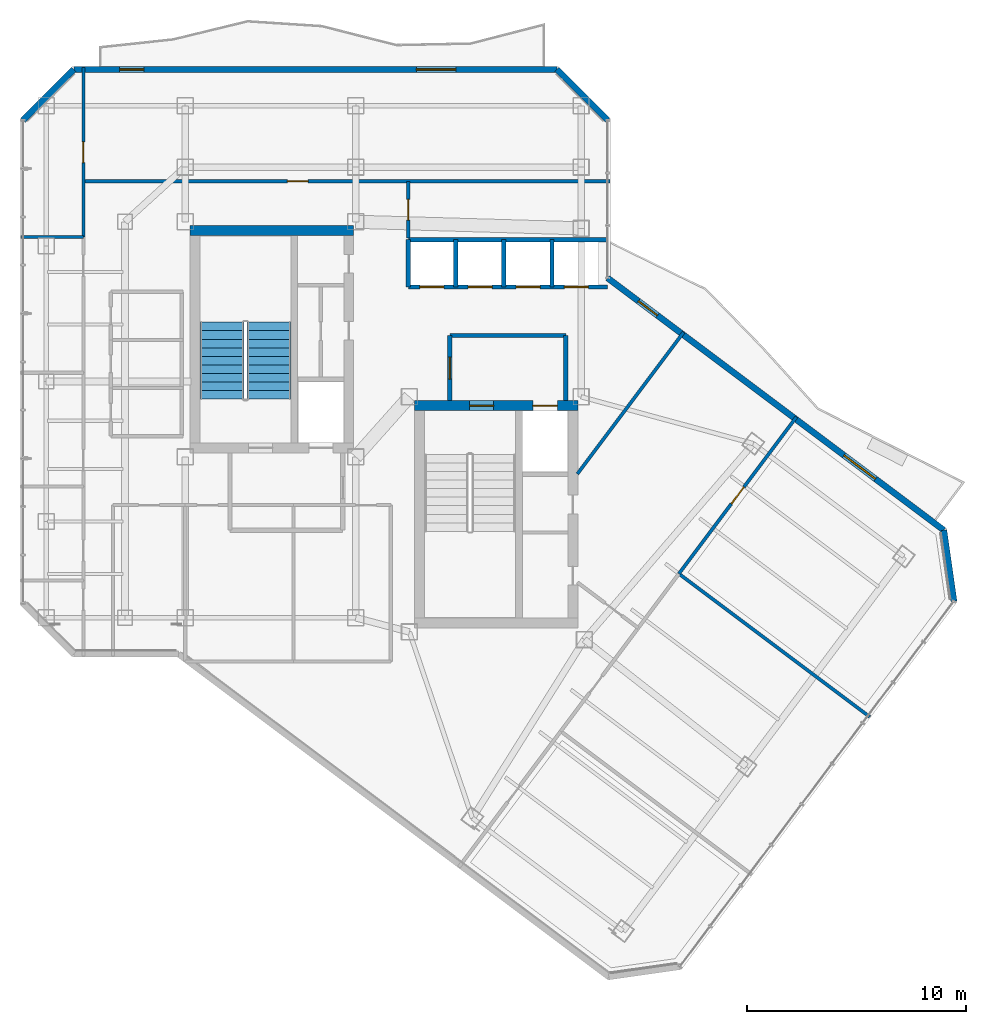
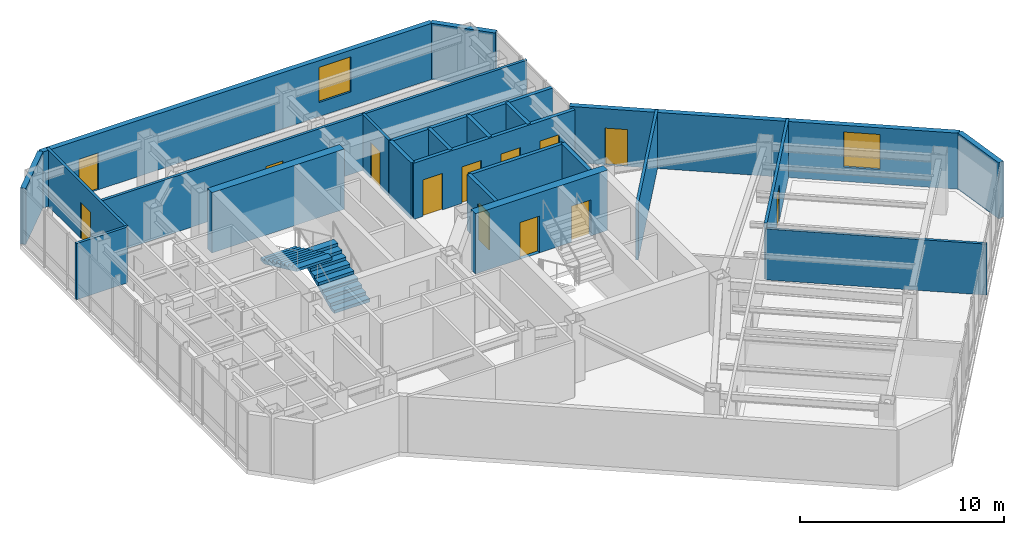
# One storey, part 21 of 26: 23 walls, 13 doors, 2 stair flights, 2 windows, 15 openings, 1 element without a shape of its own.
"""IFC4 building model written with IfcOpenShell, lengths in metres."""

from ifc_helpers import new_model, si_unit, direction, frame, frame_2d, origin, place, context, subcontext, project, spatial, polyline, rectangle, outline, extrude, material, layer, layer_set, type_object, element, fill, aggregate, save


model = new_model("IFC4")

# Units and contexts
model_context = context("Model", 3, precision=1e-05, world=origin(), true_north=direction((0.0, 1.0)))
body_context = subcontext(model_context, "Body", "Model", "MODEL_VIEW")
ifc_project = project(units=[si_unit("LENGTHUNIT", "METRE"), si_unit("AREAUNIT", "SQUARE_METRE"), si_unit("VOLUMEUNIT", "CUBIC_METRE"), si_unit("PLANEANGLEUNIT", "RADIAN"), si_unit("MASSUNIT", "GRAM", prefix="KILO")], contexts=[model_context])

# Site, building, storey
site_placement = place(None, origin())
site = spatial("IfcSite", under=ifc_project, at=site_placement, CompositionType="ELEMENT")
building_placement = place(site_placement, origin())
building = spatial("IfcBuilding", under=site, at=building_placement, Name="Hatsunagi Terrace Concourse", CompositionType="ELEMENT")
storey_placement = place(building_placement, frame((0.0, 0.0, 198.75)))
storey = spatial("IfcBuildingStorey", under=building, at=storey_placement, Name="L52", CompositionType="ELEMENT", Elevation=198.75)

# Wall
ifc_material_1 = material(Name="Concrete Fc42", Category="concrete")
ifc_layer_1 = layer(ifc_material_1, 0.449951171875)
ifc_layer_set_1 = layer_set([ifc_layer_1], Name="CoreShearWall_Fc42_450")
wall_type_1 = type_object("IfcWallType", Name="CoreShearWall_Fc42_450", PredefinedType="SHEAR", material=ifc_layer_set_1)
wall_1_placement = place(storey_placement, frame((25.77001953125, 42.89501953125, 0.0), z_axis=(0.0, 0.0, 1.0), x_axis=(1.0, 0.0, 0.0)))
element("IfcWall", 1, at=wall_1_placement, inside=storey, type_object=wall_type_1, Name="Core A Shear Wall N L52", PredefinedType="SHEAR", context=body_context, shape_type="SweptSolid", body=[
    extrude(rectangle(XDim=7.47998046875, YDim=0.449951171875, at=frame_2d((3.739990234375, 0.0))), origin(), (0.0, 0.0, 1.0), 3.60009765625),
])

# Wall, openings, doors
wall_2_placement = place(storey_placement, frame((36.0400390625, 34.89501953125, 0.0), z_axis=(0.0, 0.0, 1.0), x_axis=(1.0, 0.0, 0.0)))
wall_2 = element("IfcWall", 2, at=wall_2_placement, inside=storey, type_object=wall_type_1, Name="Core B Shear Wall N L52", PredefinedType="SHEAR", context=body_context, shape_type="SweptSolid", body=[
    extrude(rectangle(XDim=7.4599609375, YDim=0.449951171875, at=frame_2d((3.72998046875, 0.0))), origin(), (0.0, 0.0, 1.0), 3.60009765625),
])
opening_1_placement = place(wall_2_placement, frame((2.510009765625, 0.0, 0.0)))
opening_1 = element("IfcOpeningElement", 3, at=opening_1_placement, cuts=wall_2, Name="Opening DR-110S", PredefinedType="OPENING", context=body_context, shape_type="SweptSolid", body=[
    extrude(rectangle(XDim=1.10009765625, YDim=2.199951171875, at=frame_2d((0.550048828125, 1.10009765625))), frame((0.0, 0.23486328125, 0.0), z_axis=(0.0, -1.0, 0.0), x_axis=(1.0, 0.0, 0.0)), (0.0, 0.0, 1.0), 0.469970703125),
])
opening_2_placement = place(wall_2_placement, frame((5.409912109375, 0.0, 0.0)))
opening_2 = element("IfcOpeningElement", 4, at=opening_2_placement, cuts=wall_2, Name="Opening LD-02", PredefinedType="OPENING", context=body_context, shape_type="SweptSolid", body=[
    extrude(rectangle(XDim=1.1201171875, YDim=2.14990234375, at=frame_2d((0.56005859375, 1.074951171875))), frame((0.0, 0.23486328125, 0.0), z_axis=(0.0, -1.0, 0.0), x_axis=(1.0, 0.0, 0.0)), (0.0, 0.0, 1.0), 0.469970703125),
])
ifc_material_2 = material(Name="Stainless steel", Category="steel")
door_type_1 = type_object("IfcDoorType", Name="LiftLandingDoor_LD02", OperationType="SLIDING_TO_RIGHT", PredefinedType="USERDEFINED", material=ifc_material_2)
door_1_placement = place(opening_2_placement, origin())
door_1 = element("IfcDoor", 5, at=door_1_placement, inside=storey, type_object=door_type_1, Name="Lift landing door FF-02 L52", ObjectType="SLIDING_LANDING_DOOR", OperationType="SLIDING_TO_RIGHT", OverallHeight=2.14990234375, OverallWidth=1.1201171875, PredefinedType="USERDEFINED", context=body_context, shape_type="SweptSolid", body=[
    extrude(rectangle(XDim=1.1201171875, YDim=2.14990234375, at=frame_2d((0.56005859375, 1.074951171875))), frame((0.0, 0.02490234375, 0.0), z_axis=(0.0, -1.0, 0.0), x_axis=(1.0, 0.0, 0.0)), (0.0, 0.0, 1.0), 0.050048828125),
])
fill(opening_2, door_1)
ifc_material_3 = material(Name="Painted steel", Category="steel")
door_type_2 = type_object("IfcDoorType", Name="StairFireDoor_EI60_1100", OperationType="NOTDEFINED", PredefinedType="DOOR", material=ifc_material_3)
door_2_placement = place(opening_1_placement, origin())
door_2 = element("IfcDoor", 6, at=door_2_placement, inside=storey, type_object=door_type_2, Name="Stair ST-B Exit Door L52", OperationType="SINGLE_SWING_RIGHT", OverallHeight=2.199951171875, OverallWidth=1.10009765625, PredefinedType="DOOR", context=body_context, shape_type="SweptSolid", body=[
    extrude(rectangle(XDim=1.10009765625, YDim=2.199951171875, at=frame_2d((0.550048828125, 1.10009765625))), frame((0.0, 0.02490234375, 0.0), z_axis=(0.0, -1.0, 0.0), x_axis=(1.0, 0.0, 0.0)), (0.0, 0.0, 1.0), 0.050048828125),
])
fill(opening_1, door_2)

# Wall
ifc_material_4 = material(Name="Acoustic mineral board", Category="gypsum")
ifc_layer_2 = layer(ifc_material_4, 0.14990234375)
ifc_layer_set_2 = layer_set([ifc_layer_2], Name="PartitionWall_EI60_150")
wall_type_2 = type_object("IfcWallType", Name="PartitionWall_EI60_150", PredefinedType="PARTITIONING", material=ifc_layer_set_2)
wall_3_placement = place(storey_placement, frame((18.0400390625, 42.60009765625, 0.0), z_axis=(0.0, 0.0, 1.0), x_axis=(1.0, 0.0, 0.0)))
element("IfcWall", 7, at=wall_3_placement, inside=storey, type_object=wall_type_2, Name="Interior Partition IW-L52-039", PredefinedType="PARTITIONING", context=body_context, shape_type="SweptSolid", body=[
    extrude(rectangle(XDim=2.85986328125, YDim=0.14990234375, at=frame_2d((1.429931640625, 0.0))), origin(), (0.0, 0.0, 1.0), 3.35009765625),
])

# Wall, opening, door
wall_4_placement = place(storey_placement, frame((20.89990234375, 42.60009765625, 0.0), z_axis=(0.0, 0.0, 1.0), x_axis=(0.0, 1.0, 0.0)))
wall_4 = element("IfcWall", 8, at=wall_4_placement, inside=storey, type_object=wall_type_2, Name="Interior Partition IW-L52-041", PredefinedType="PARTITIONING", context=body_context, shape_type="SweptSolid", body=[
    extrude(rectangle(XDim=7.760009765625, YDim=0.14990234375, at=frame_2d((3.8798828125, 0.0))), origin(), (0.0, 0.0, 1.0), 3.35009765625),
])
opening_3_placement = place(wall_4_placement, frame((3.405029296875, 0.0, 0.0)))
opening_3 = element("IfcOpeningElement", 9, at=opening_3_placement, cuts=wall_4, Name="Opening DR-095", PredefinedType="OPENING", context=body_context, shape_type="SweptSolid", body=[
    extrude(rectangle(XDim=0.949951171875, YDim=2.14990234375, at=frame_2d((0.47509765625, 1.074951171875))), frame((0.0, 0.0849609375, 0.0), z_axis=(0.0, -1.0, 0.0), x_axis=(1.0, 0.0, 0.0)), (0.0, 0.0, 1.0), 0.169921875),
])
ifc_material_5 = material(Name="Hardwood timber", Category="wood")
door_type_3 = type_object("IfcDoorType", Name="InteriorSuiteDoor_EI30_950", OperationType="NOTDEFINED", PredefinedType="DOOR", material=ifc_material_5)
door_3_placement = place(opening_3_placement, origin())
door_3 = element("IfcDoor", 10, at=door_3_placement, inside=storey, type_object=door_type_3, Name="Design Studio L52-OW5 Door", OperationType="SINGLE_SWING_RIGHT", OverallHeight=2.14990234375, OverallWidth=0.949951171875, PredefinedType="DOOR", context=body_context, shape_type="SweptSolid", body=[
    extrude(rectangle(XDim=0.949951171875, YDim=2.14990234375, at=frame_2d((0.47509765625, 1.074951171875))), frame((0.0, 0.02490234375, 0.0), z_axis=(0.0, -1.0, 0.0), x_axis=(1.0, 0.0, 0.0)), (0.0, 0.0, 1.0), 0.050048828125),
])
fill(opening_3, door_3)

wall_5_placement = place(storey_placement, frame((20.89990234375, 45.14990234375, 0.0), z_axis=(0.0, 0.0, 1.0), x_axis=(1.0, 0.0, 0.0)))
wall_5 = element("IfcWall", 11, at=wall_5_placement, inside=storey, type_object=wall_type_2, Name="Interior Partition IW-L52-042", PredefinedType="PARTITIONING", context=body_context, shape_type="SweptSolid", body=[
    extrude(rectangle(XDim=24.06005859375, YDim=0.14990234375, at=frame_2d((12.030029296875, 0.0))), origin(), (0.0, 0.0, 1.0), 3.35009765625),
])
opening_4_placement = place(wall_5_placement, frame((9.320068359375, 0.0, 0.0)))
opening_4 = element("IfcOpeningElement", 12, at=opening_4_placement, cuts=wall_5, Name="Opening DR-095", PredefinedType="OPENING", context=body_context, shape_type="SweptSolid", body=[
    extrude(rectangle(XDim=0.949951171875, YDim=2.14990234375, at=frame_2d((0.47509765625, 1.074951171875))), frame((0.0, 0.0849609375, 0.0), z_axis=(0.0, -1.0, 0.0), x_axis=(1.0, 0.0, 0.0)), (0.0, 0.0, 1.0), 0.169921875),
])
door_4_placement = place(opening_4_placement, origin())
door_4 = element("IfcDoor", 13, at=door_4_placement, inside=storey, type_object=door_type_3, Name="Boardroom L52-ON1 Door", OperationType="SINGLE_SWING_RIGHT", OverallHeight=2.14990234375, OverallWidth=0.949951171875, PredefinedType="DOOR", context=body_context, shape_type="SweptSolid", body=[
    extrude(rectangle(XDim=0.949951171875, YDim=2.14990234375, at=frame_2d((0.47509765625, 1.074951171875))), frame((0.0, 0.02490234375, 0.0), z_axis=(0.0, -1.0, 0.0), x_axis=(1.0, 0.0, 0.0)), (0.0, 0.0, 1.0), 0.050048828125),
])
fill(opening_4, door_4)

# Wall
wall_6_placement = place(storey_placement, frame((48.1201171875, 27.2099609375, 0.0), z_axis=(0.0, 0.0, 1.0), x_axis=(0.799997314611, -0.600003580502, 0.0)))
element("IfcWall", 14, at=wall_6_placement, inside=storey, type_object=wall_type_2, Name="Interior Partition IW-L52-045", PredefinedType="PARTITIONING", context=body_context, shape_type="SweptSolid", body=[
    extrude(rectangle(XDim=10.90966796875, YDim=0.14990234375, at=frame_2d((5.454833984375, 0.0))), origin(), (0.0, 0.0, 1.0), 3.044921875),
])

# Wall, opening, door
wall_7_placement = place(storey_placement, frame((48.1201171875, 27.2099609375, 0.0), z_axis=(0.0, 0.0, 1.0), x_axis=(0.6, 0.8, 0.0)))
wall_7 = element("IfcWall", 15, at=wall_7_placement, inside=storey, type_object=wall_type_2, Name="Interior Partition IW-L52-047", PredefinedType="PARTITIONING", context=body_context, shape_type="SweptSolid", body=[
    extrude(rectangle(XDim=8.9599609375, YDim=0.14990234375, at=frame_2d((4.47998046875, 0.0))), origin(), (0.0, 0.0, 1.0), 3.35009765625),
])
opening_5_placement = place(wall_7_placement, frame((4.0048828125, 0.0, 0.0)))
opening_5 = element("IfcOpeningElement", 16, at=opening_5_placement, cuts=wall_7, Name="Opening DR-095", PredefinedType="OPENING", context=body_context, shape_type="SweptSolid", body=[
    extrude(rectangle(XDim=0.949951171875, YDim=2.14990234375, at=frame_2d((0.47509765625, 1.074951171875))), frame((0.0, 0.0849609375, 0.0), z_axis=(0.0, -1.0, 0.0), x_axis=(1.0, 0.0, 0.0)), (0.0, 0.0, 1.0), 0.169921875),
])
door_5_placement = place(opening_5_placement, origin())
door_5 = element("IfcDoor", 17, at=door_5_placement, inside=storey, type_object=door_type_3, Name="Research Focus Suite L52-OSE3 Door", OperationType="SINGLE_SWING_RIGHT", OverallHeight=2.14990234375, OverallWidth=0.949951171875, PredefinedType="DOOR", context=body_context, shape_type="SweptSolid", body=[
    extrude(rectangle(XDim=0.949951171875, YDim=2.14990234375, at=frame_2d((0.47509765625, 1.074951171875))), frame((0.0, 0.02490234375, 0.0), z_axis=(0.0, -1.0, 0.0), x_axis=(1.0, 0.0, 0.0)), (0.0, 0.0, 1.0), 0.050048828125),
])
fill(opening_5, door_5)

# Wall
wall_8_placement = place(storey_placement, frame((43.47998046875, 31.77294921875, 0.0), z_axis=(0.0, 0.0, 1.0), x_axis=(0.599971041729, 0.800021717885, 0.0)))
element("IfcWall", 18, at=wall_8_placement, inside=storey, type_object=wall_type_2, Name="Interior Partition IW-L52-049", PredefinedType="PARTITIONING", context=body_context, shape_type="SweptSolid", body=[
    extrude(rectangle(XDim=8.09375, YDim=0.14990234375, at=frame_2d((4.046875, 0.0))), origin(), (0.0, 0.0, 1.0), 3.35009765625),
])

# Wall, opening, door
wall_9_placement = place(storey_placement, frame((35.75, 42.550048828125, 0.0), z_axis=(0.0, 0.0, 1.0), x_axis=(0.0, 1.0, 0.0)))
wall_9 = element("IfcWall", 19, at=wall_9_placement, inside=storey, type_object=wall_type_2, Name="Interior Partition IW-L52-052", PredefinedType="PARTITIONING", context=body_context, shape_type="SweptSolid", body=[
    extrude(rectangle(XDim=2.599853515625, YDim=0.14990234375, at=frame_2d((1.2998046875, 0.0))), origin(), (0.0, 0.0, 1.0), 3.35009765625),
])
opening_6_placement = place(wall_9_placement, frame((0.824951171875, 0.0, 0.0)))
opening_6 = element("IfcOpeningElement", 20, at=opening_6_placement, cuts=wall_9, Name="Opening DR-095", PredefinedType="OPENING", context=body_context, shape_type="SweptSolid", body=[
    extrude(rectangle(XDim=0.949951171875, YDim=2.14990234375, at=frame_2d((0.47509765625, 1.074951171875))), frame((0.0, 0.0849609375, 0.0), z_axis=(0.0, -1.0, 0.0), x_axis=(1.0, 0.0, 0.0)), (0.0, 0.0, 1.0), 0.169921875),
])
door_6_placement = place(opening_6_placement, origin())
door_6 = element("IfcDoor", 21, at=door_6_placement, inside=storey, type_object=door_type_3, Name="Executive Briefing Room L52-ONEB Door", OperationType="SINGLE_SWING_RIGHT", OverallHeight=2.14990234375, OverallWidth=0.949951171875, PredefinedType="DOOR", context=body_context, shape_type="SweptSolid", body=[
    extrude(rectangle(XDim=0.949951171875, YDim=2.14990234375, at=frame_2d((0.47509765625, 1.074951171875))), frame((0.0, 0.02490234375, 0.0), z_axis=(0.0, -1.0, 0.0), x_axis=(1.0, 0.0, 0.0)), (0.0, 0.0, 1.0), 0.050048828125),
])
fill(opening_6, door_6)

# Walls
ifc_material_6 = material(Name="Acoustic mineral board", Category="gypsum")
ifc_layer_3 = layer(ifc_material_6, 0.199951171875)
ifc_layer_set_3 = layer_set([ifc_layer_3], Name="ShaftWall_EI120_200")
wall_type_3 = type_object("IfcWallType", Name="ShaftWall_EI120_200", PredefinedType="STANDARD", material=ifc_layer_set_3)
wall_10_placement = place(storey_placement, frame((37.64990234375, 38.10009765625, 0.0), z_axis=(0.0, 0.0, 1.0), x_axis=(1.0, 0.0, 0.0)))
element("IfcWall", 22, at=wall_10_placement, inside=storey, type_object=wall_type_3, Name="Interior Partition IW-L52-009", PredefinedType="STANDARD", context=body_context, shape_type="SweptSolid", body=[
    extrude(rectangle(XDim=5.300048828125, YDim=0.199951171875, at=frame_2d((2.64990234375, 0.0))), origin(), (0.0, 0.0, 1.0), 3.35009765625),
])
wall_11_placement = place(storey_placement, frame((42.949951171875, 35.1201171875, 0.0), z_axis=(0.0, 0.0, 1.0), x_axis=(0.0, 1.0, 0.0)))
element("IfcWall", 23, at=wall_11_placement, inside=storey, type_object=wall_type_3, Name="Interior Partition IW-L52-010", PredefinedType="STANDARD", context=body_context, shape_type="SweptSolid", body=[
    extrude(rectangle(XDim=2.97998046875, YDim=0.199951171875, at=frame_2d((1.489990234375, 0.0))), origin(), (0.0, 0.0, 1.0), 3.35009765625),
])

# Wall, opening, door
wall_12_placement = place(storey_placement, frame((37.64990234375, 35.1201171875, 0.0), z_axis=(0.0, 0.0, 1.0), x_axis=(0.0, 1.0, 0.0)))
wall_12 = element("IfcWall", 24, at=wall_12_placement, inside=storey, type_object=wall_type_3, Name="Interior Partition IW-L52-011", PredefinedType="STANDARD", context=body_context, shape_type="SweptSolid", body=[
    extrude(rectangle(XDim=2.97998046875, YDim=0.199951171875, at=frame_2d((1.489990234375, 0.0))), origin(), (0.0, 0.0, 1.0), 3.35009765625),
])
opening_7_placement = place(wall_12_placement, frame((0.989990234375, 0.0, 0.0)))
opening_7 = element("IfcOpeningElement", 25, at=opening_7_placement, cuts=wall_12, Name="Opening DR-100F", PredefinedType="OPENING", context=body_context, shape_type="SweptSolid", body=[
    extrude(rectangle(XDim=1.0, YDim=2.199951171875, at=frame_2d((0.5, 1.10009765625))), frame((0.0, 0.10986328125, 0.0), z_axis=(0.0, -1.0, 0.0), x_axis=(1.0, 0.0, 0.0)), (0.0, 0.0, 1.0), 0.219970703125),
])
ifc_material_7 = material(Name="Painted steel", Category="steel")
door_type_4 = type_object("IfcDoorType", Name="FireDoor_EI60_1000", OperationType="NOTDEFINED", PredefinedType="DOOR", material=ifc_material_7)
door_7_placement = place(opening_7_placement, origin())
door_7 = element("IfcDoor", 26, at=door_7_placement, inside=storey, type_object=door_type_4, Name="Firefighting Lobby B Door L52", OperationType="SINGLE_SWING_RIGHT", OverallHeight=2.199951171875, OverallWidth=1.0, PredefinedType="DOOR", context=body_context, shape_type="SweptSolid", body=[
    extrude(rectangle(XDim=1.0, YDim=2.199951171875, at=frame_2d((0.5, 1.10009765625))), frame((0.0, 0.02490234375, 0.0), z_axis=(0.0, -1.0, 0.0), x_axis=(1.0, 0.0, 0.0)), (0.0, 0.0, 1.0), 0.050048828125),
])
fill(opening_7, door_7)

# Walls
wall_13_placement = place(storey_placement, frame((35.75, 42.47998046875, 0.0), z_axis=(0.0, 0.0, 1.0), x_axis=(1.0, 0.0, 0.0)))
element("IfcWall", 27, at=wall_13_placement, inside=storey, type_object=wall_type_3, Name="Interior Partition IW-L52-012", PredefinedType="STANDARD", context=body_context, shape_type="SweptSolid", body=[
    extrude(rectangle(XDim=9.110107421875, YDim=0.199951171875, at=frame_2d((4.55517578125, 0.0))), origin(), (0.0, 0.0, 1.0), 3.35009765625),
])
for number, where, z_axis, x_axis, name in (
    (28, (35.75, 40.320068359375, 0.0), (0.0, 0.0, 1.0), (0.0, 1.0, 0.0), "Interior Partition IW-L52-013"),
    (29, (37.919921875, 40.320068359375, 0.0), (0.0, 0.0, 1.0), (0.0, 1.0, 0.0), "Interior Partition IW-L52-014"),
    (30, (40.1201171875, 40.320068359375, 0.0), (0.0, 0.0, 1.0), (0.0, 1.0, 0.0), "Interior Partition IW-L52-015"),
    (31, (42.320068359375, 40.320068359375, 0.0), (0.0, 0.0, 1.0), (0.0, 1.0, 0.0), "Interior Partition IW-L52-016"),
):
    element("IfcWall", number, at=place(storey_placement, frame(where, z_axis=z_axis, x_axis=x_axis)), inside=storey, type_object=wall_type_3, Name=name, PredefinedType="STANDARD", context=body_context, shape_type="SweptSolid", body=[
        extrude(rectangle(XDim=2.159912109375, YDim=0.199951171875, at=frame_2d((1.080078125, 0.0))), origin(), (0.0, 0.0, 1.0), 3.35009765625),
    ])

# Wall, openings, doors
wall_14_placement = place(storey_placement, frame((35.75, 40.320068359375, 0.0), z_axis=(0.0, 0.0, 1.0), x_axis=(1.0, 0.0, 0.0)))
wall_14 = element("IfcWall", 32, at=wall_14_placement, inside=storey, type_object=wall_type_3, Name="Interior Partition IW-L52-017", PredefinedType="STANDARD", context=body_context, shape_type="SweptSolid", body=[
    extrude(rectangle(XDim=9.110107421875, YDim=0.199951171875, at=frame_2d((4.55517578125, 0.0))), origin(), (0.0, 0.0, 1.0), 3.35009765625),
])
opening_8_placement = place(wall_14_placement, frame((0.530029296875, 0.0, 0.0)))
opening_8 = element("IfcOpeningElement", 33, at=opening_8_placement, cuts=wall_14, Name="Opening LD-04", PredefinedType="OPENING", context=body_context, shape_type="SweptSolid", body=[
    extrude(rectangle(XDim=1.10009765625, YDim=2.179931640625, at=frame_2d((0.550048828125, 1.08984375))), frame((0.0, 0.10986328125, 0.0), z_axis=(0.0, -1.0, 0.0), x_axis=(1.0, 0.0, 0.0)), (0.0, 0.0, 1.0), 0.219970703125),
])
opening_9_placement = place(wall_14_placement, frame((2.72998046875, 0.0, 0.0)))
opening_9 = element("IfcOpeningElement", 34, at=opening_9_placement, cuts=wall_14, Name="Opening LD-04", PredefinedType="OPENING", context=body_context, shape_type="SweptSolid", body=[
    extrude(rectangle(XDim=1.10009765625, YDim=2.179931640625, at=frame_2d((0.550048828125, 1.08984375))), frame((0.0, 0.10986328125, 0.0), z_axis=(0.0, -1.0, 0.0), x_axis=(1.0, 0.0, 0.0)), (0.0, 0.0, 1.0), 0.219970703125),
])
opening_10_placement = place(wall_14_placement, frame((4.929931640625, 0.0, 0.0)))
opening_10 = element("IfcOpeningElement", 35, at=opening_10_placement, cuts=wall_14, Name="Opening LD-04", PredefinedType="OPENING", context=body_context, shape_type="SweptSolid", body=[
    extrude(rectangle(XDim=1.10009765625, YDim=2.179931640625, at=frame_2d((0.550048828125, 1.08984375))), frame((0.0, 0.10986328125, 0.0), z_axis=(0.0, -1.0, 0.0), x_axis=(1.0, 0.0, 0.0)), (0.0, 0.0, 1.0), 0.219970703125),
])
opening_11_placement = place(wall_14_placement, frame((7.1298828125, 0.0, 0.0)))
opening_11 = element("IfcOpeningElement", 36, at=opening_11_placement, cuts=wall_14, Name="Opening LD-04", PredefinedType="OPENING", context=body_context, shape_type="SweptSolid", body=[
    extrude(rectangle(XDim=1.10009765625, YDim=2.179931640625, at=frame_2d((0.550048828125, 1.08984375))), frame((0.0, 0.10986328125, 0.0), z_axis=(0.0, -1.0, 0.0), x_axis=(1.0, 0.0, 0.0)), (0.0, 0.0, 1.0), 0.219970703125),
])
ifc_material_8 = material(Name="Stainless steel", Category="steel")
door_type_5 = type_object("IfcDoorType", Name="LiftLandingDoor_LD04", OperationType="SLIDING_TO_RIGHT", PredefinedType="USERDEFINED", material=ifc_material_8)
door_8_placement = place(opening_8_placement, origin())
door_8 = element("IfcDoor", 37, at=door_8_placement, inside=storey, type_object=door_type_5, Name="Lift landing door PL-05 L52", ObjectType="SLIDING_LANDING_DOOR", OperationType="SLIDING_TO_RIGHT", OverallHeight=2.179931640625, OverallWidth=1.10009765625, PredefinedType="USERDEFINED", context=body_context, shape_type="SweptSolid", body=[
    extrude(rectangle(XDim=1.10009765625, YDim=2.179931640625, at=frame_2d((0.550048828125, 1.08984375))), frame((0.0, 0.02490234375, 0.0), z_axis=(0.0, -1.0, 0.0), x_axis=(1.0, 0.0, 0.0)), (0.0, 0.0, 1.0), 0.050048828125),
])
fill(opening_8, door_8)
door_9_placement = place(opening_9_placement, origin())
door_9 = element("IfcDoor", 38, at=door_9_placement, inside=storey, type_object=door_type_5, Name="Lift landing door PL-06 L52", ObjectType="SLIDING_LANDING_DOOR", OperationType="SLIDING_TO_RIGHT", OverallHeight=2.179931640625, OverallWidth=1.10009765625, PredefinedType="USERDEFINED", context=body_context, shape_type="SweptSolid", body=[
    extrude(rectangle(XDim=1.10009765625, YDim=2.179931640625, at=frame_2d((0.550048828125, 1.08984375))), frame((0.0, 0.02490234375, 0.0), z_axis=(0.0, -1.0, 0.0), x_axis=(1.0, 0.0, 0.0)), (0.0, 0.0, 1.0), 0.050048828125),
])
fill(opening_9, door_9)
door_10_placement = place(opening_10_placement, origin())
door_10 = element("IfcDoor", 39, at=door_10_placement, inside=storey, type_object=door_type_5, Name="Lift landing door PL-07 L52", ObjectType="SLIDING_LANDING_DOOR", OperationType="SLIDING_TO_RIGHT", OverallHeight=2.179931640625, OverallWidth=1.10009765625, PredefinedType="USERDEFINED", context=body_context, shape_type="SweptSolid", body=[
    extrude(rectangle(XDim=1.10009765625, YDim=2.179931640625, at=frame_2d((0.550048828125, 1.08984375))), frame((0.0, 0.02490234375, 0.0), z_axis=(0.0, -1.0, 0.0), x_axis=(1.0, 0.0, 0.0)), (0.0, 0.0, 1.0), 0.050048828125),
])
fill(opening_10, door_10)
door_11_placement = place(opening_11_placement, origin())
door_11 = element("IfcDoor", 40, at=door_11_placement, inside=storey, type_object=door_type_5, Name="Lift landing door PL-08 L52", ObjectType="SLIDING_LANDING_DOOR", OperationType="SLIDING_TO_RIGHT", OverallHeight=2.179931640625, OverallWidth=1.10009765625, PredefinedType="USERDEFINED", context=body_context, shape_type="SweptSolid", body=[
    extrude(rectangle(XDim=1.10009765625, YDim=2.179931640625, at=frame_2d((0.550048828125, 1.08984375))), frame((0.0, 0.02490234375, 0.0), z_axis=(0.0, -1.0, 0.0), x_axis=(1.0, 0.0, 0.0)), (0.0, 0.0, 1.0), 0.050048828125),
])
fill(opening_11, door_11)

# Wall, openings, door, window
ifc_material_9 = material(Name="Autoclaved Lightweight Concrete and Terracotta Cladding", Category="masonry")
ifc_layer_4 = layer(ifc_material_9, 0.280029296875)
ifc_layer_set_4 = layer_set([ifc_layer_4], Name="TerracottaSpandrelWall_280")
wall_type_4 = type_object("IfcWallType", Name="TerracottaSpandrelWall_280", PredefinedType="STANDARD", material=ifc_layer_set_4)
wall_15_placement = place(storey_placement, frame((44.860107421875, 40.72998046875, 0.0), z_axis=(0.0, 0.0, 1.0), x_axis=(0.800007624502, -0.599989833863, 0.0)))
wall_15 = element("IfcWall", 41, at=wall_15_placement, inside=storey, type_object=wall_type_4, Name="Exterior Spandrel Wall EW-L52-01", PredefinedType="STANDARD", context=body_context, shape_type="SweptSolid", body=[
    extrude(rectangle(XDim=19.212158203125, YDim=0.280029296875, at=frame_2d((9.60595703125, 0.0))), origin(), (0.0, 0.0, 1.0), 3.35009765625),
])
opening_12_placement = place(wall_15_placement, frame((1.7548828125, 0.0, 0.0)))
opening_12 = element("IfcOpeningElement", 42, at=opening_12_placement, cuts=wall_15, Name="Opening BD-01", PredefinedType="OPENING", context=body_context, shape_type="SweptSolid", body=[
    extrude(rectangle(XDim=1.10009765625, YDim=2.199951171875, at=frame_2d((0.550048828125, 1.10009765625))), frame((0.0, 0.14990234375, 0.0), z_axis=(0.0, -1.0, 0.0), x_axis=(1.0, 0.0, 0.0)), (0.0, 0.0, 1.0), 0.300048828125),
])
opening_13_placement = place(wall_15_placement, frame((13.509033203125, 0.0, 0.85009765625)))
opening_13 = element("IfcOpeningElement", 43, at=opening_13_placement, cuts=wall_15, Name="Opening WIN-03", PredefinedType="OPENING", context=body_context, shape_type="SweptSolid", body=[
    extrude(rectangle(XDim=1.800048828125, YDim=2.10009765625, at=frame_2d((0.89990234375, 1.050048828125))), frame((0.0, 0.14990234375, 0.0), z_axis=(0.0, -1.0, 0.0), x_axis=(1.0, 0.0, 0.0)), (0.0, 0.0, 1.0), 0.300048828125),
])
ifc_material_10 = material(Name="Galvanised Steel and Laminated Safety Glass", Category="steel")
door_type_6 = type_object("IfcDoorType", Name="BalconyTerraceAccessDoor_1100x2200", OperationType="SINGLE_SWING_LEFT", PredefinedType="DOOR", material=ifc_material_10)
door_12_placement = place(opening_12_placement, origin())
door_12 = element("IfcDoor", 44, at=door_12_placement, inside=storey, type_object=door_type_6, Name="Engawa Balcony Door L52-BSE", OperationType="SINGLE_SWING_LEFT", OverallHeight=2.199951171875, OverallWidth=1.10009765625, PredefinedType="DOOR", context=body_context, shape_type="SweptSolid", body=[
    extrude(rectangle(XDim=1.10009765625, YDim=2.199951171875, at=frame_2d((0.550048828125, 1.10009765625))), frame((0.0, 0.02490234375, 0.0), z_axis=(0.0, -1.0, 0.0), x_axis=(1.0, 0.0, 0.0)), (0.0, 0.0, 1.0), 0.050048828125),
])
fill(opening_12, door_12)
ifc_material_11 = material(Name="Thermally Broken Aluminium and Low-E Triple Glazing", Category="aluminium")
window_type = type_object("IfcWindowType", Name="OfficeCornerFeatureWindow_1800x2100", PartitioningType="SINGLE_PANEL", PredefinedType="WINDOW", material=ifc_material_11)
window_1_placement = place(opening_13_placement, origin())
window_1 = element("IfcWindow", 45, at=window_1_placement, inside=storey, type_object=window_type, Name="Balcony Daylighting Window L52-01-2", OverallHeight=2.10009765625, OverallWidth=1.800048828125, PartitioningType="SINGLE_PANEL", PredefinedType="WINDOW", context=body_context, shape_type="SweptSolid", body=[
    extrude(rectangle(XDim=1.800048828125, YDim=2.10009765625, at=frame_2d((0.89990234375, 1.050048828125))), frame((0.0, 0.030029296875, 0.0), z_axis=(0.0, -1.0, 0.0), x_axis=(1.0, 0.0, 0.0)), (0.0, 0.0, 1.0), 0.06005859375),
])
fill(opening_13, window_1)

# Walls
wall_16_placement = place(storey_placement, frame((60.22998046875, 29.202880859375, 0.0), z_axis=(0.0, 0.0, 1.0), x_axis=(0.141296221922, -0.989967361922, 0.0)))
element("IfcWall", 46, at=wall_16_placement, inside=storey, type_object=wall_type_4, Name="Exterior Spandrel Wall EW-L52-02", PredefinedType="STANDARD", context=body_context, shape_type="SweptSolid", body=[
    extrude(rectangle(XDim=3.27783203125, YDim=0.280029296875, at=frame_2d((1.638916015625, 0.0))), origin(), (0.0, 0.0, 1.0), 3.35009765625),
])
wall_17_placement = place(storey_placement, frame((18.139892578125, 47.94189453125, 0.0), z_axis=(0.0, 0.0, 1.0), x_axis=(0.707106781187, 0.707106781187, 0.0)))
element("IfcWall", 47, at=wall_17_placement, inside=storey, type_object=wall_type_4, Name="Exterior Spandrel Wall EW-L52-09", PredefinedType="STANDARD", context=body_context, shape_type="SweptSolid", body=[
    extrude(rectangle(XDim=3.2783203125, YDim=0.280029296875, at=frame_2d((1.63916015625, 0.0))), origin(), (0.0, 0.0, 1.0), 3.35009765625),
])

# Wall, openings, door, window
wall_18_placement = place(storey_placement, frame((20.4580078125, 50.260009765625, 0.0), z_axis=(0.0, 0.0, 1.0), x_axis=(1.0, 0.0, 0.0)))
wall_18 = element("IfcWall", 48, at=wall_18_placement, inside=storey, type_object=wall_type_4, Name="Exterior Spandrel Wall EW-L52-10", PredefinedType="STANDARD", context=body_context, shape_type="SweptSolid", body=[
    extrude(rectangle(XDim=22.083984375, YDim=0.280029296875, at=frame_2d((11.0419921875, 0.0))), origin(), (0.0, 0.0, 1.0), 3.35009765625),
])
opening_14_placement = place(wall_18_placement, frame((2.10009765625, 0.0, 0.0)))
opening_14 = element("IfcOpeningElement", 49, at=opening_14_placement, cuts=wall_18, Name="Opening BD-01", PredefinedType="OPENING", context=body_context, shape_type="SweptSolid", body=[
    extrude(rectangle(XDim=1.10009765625, YDim=2.199951171875, at=frame_2d((0.550048828125, 1.10009765625))), frame((0.0, 0.14990234375, 0.0), z_axis=(0.0, -1.0, 0.0), x_axis=(1.0, 0.0, 0.0)), (0.0, 0.0, 1.0), 0.300048828125),
])
opening_15_placement = place(wall_18_placement, frame((15.6630859375, 0.0, 0.85009765625)))
opening_15 = element("IfcOpeningElement", 50, at=opening_15_placement, cuts=wall_18, Name="Opening WIN-03", PredefinedType="OPENING", context=body_context, shape_type="SweptSolid", body=[
    extrude(rectangle(XDim=1.800048828125, YDim=2.10009765625, at=frame_2d((0.89990234375, 1.050048828125))), frame((0.0, 0.14990234375, 0.0), z_axis=(0.0, -1.0, 0.0), x_axis=(1.0, 0.0, 0.0)), (0.0, 0.0, 1.0), 0.300048828125),
])
door_13_placement = place(opening_14_placement, origin())
door_13 = element("IfcDoor", 51, at=door_13_placement, inside=storey, type_object=door_type_6, Name="Engawa Balcony Door L52-BN", OperationType="SINGLE_SWING_RIGHT", OverallHeight=2.199951171875, OverallWidth=1.10009765625, PredefinedType="DOOR", context=body_context, shape_type="SweptSolid", body=[
    extrude(rectangle(XDim=1.10009765625, YDim=2.199951171875, at=frame_2d((0.550048828125, 1.10009765625))), frame((0.0, 0.02490234375, 0.0), z_axis=(0.0, -1.0, 0.0), x_axis=(1.0, 0.0, 0.0)), (0.0, 0.0, 1.0), 0.050048828125),
])
fill(opening_14, door_13)
window_2_placement = place(opening_15_placement, origin())
window_2 = element("IfcWindow", 52, at=window_2_placement, inside=storey, type_object=window_type, Name="Balcony Daylighting Window L52-10-2", OverallHeight=2.10009765625, OverallWidth=1.800048828125, PartitioningType="SINGLE_PANEL", PredefinedType="WINDOW", context=body_context, shape_type="SweptSolid", body=[
    extrude(rectangle(XDim=1.800048828125, YDim=2.10009765625, at=frame_2d((0.89990234375, 1.050048828125))), frame((0.0, 0.030029296875, 0.0), z_axis=(0.0, -1.0, 0.0), x_axis=(1.0, 0.0, 0.0)), (0.0, 0.0, 1.0), 0.06005859375),
])
fill(opening_15, window_2)

# Wall
wall_19_placement = place(storey_placement, frame((42.5419921875, 50.260009765625, 0.0), z_axis=(0.0, 0.0, 1.0), x_axis=(0.707106781187, -0.707106781187, 0.0)))
element("IfcWall", 53, at=wall_19_placement, inside=storey, type_object=wall_type_4, Name="Exterior Spandrel Wall EW-L52-11", PredefinedType="STANDARD", context=body_context, shape_type="SweptSolid", body=[
    extrude(rectangle(XDim=3.2783203125, YDim=0.280029296875, at=frame_2d((1.63916015625, 0.0))), origin(), (0.0, 0.0, 1.0), 3.35009765625),
])

# Stair, stair flights
ifc_material_12 = material(Name="Concrete Fc42", Category="concrete")
stair_type = type_object("IfcStairType", Name="DoglegExitStair_Tower2000_20R_180", PredefinedType="HALF_TURN_STAIR", material=ifc_material_12)
stair_placement = place(storey_placement, origin())
stair = element("IfcStair", 54, at=stair_placement, inside=storey, type_object=stair_type, Name="L52 Core A Protected Exit Stair ST-A", PredefinedType="HALF_TURN_STAIR")
ifc_material_13 = material(Name="Concrete Fc42", Category="concrete")
stair_flight_type = type_object("IfcStairFlightType", Name="DoglegStairFlight_Tower2000_20R_180", PredefinedType="STRAIGHT", material=ifc_material_13)
stair_flight_1_placement = place(storey_placement, frame((29.3798828125, 35.199951171875, 0.0), z_axis=(0.0, 0.0, 1.0), x_axis=(0.0, 1.0, 0.0)))
stair_flight_1 = element("IfcStairFlight", 55, at=stair_flight_1_placement, type_object=stair_flight_type, Name="ST-A flight 1", NumberOfRisers=10, NumberOfTreads=9, PredefinedType="STRAIGHT", RiserHeight=0.18, TreadLength=0.39, context=body_context, shape_type="SweptSolid", body=[
    extrude(outline(polyline([(0.0, 0.0), (0.0, 0.179931640625), (0.389892578125, 0.179931640625), (0.389892578125, 0.360107421875), (0.780029296875, 0.360107421875), (0.780029296875, 0.5400390625), (1.169921875, 0.5400390625), (1.169921875, 0.719970703125), (1.56005859375, 0.719970703125), (1.56005859375, 0.89990234375), (1.949951171875, 0.89990234375), (1.949951171875, 1.080078125), (2.340087890625, 1.080078125), (2.340087890625, 1.260009765625), (2.72998046875, 1.260009765625), (2.72998046875, 1.43994140625), (3.1201171875, 1.43994140625), (3.1201171875, 1.6201171875), (3.510009765625, 1.6201171875), (3.510009765625, 1.800048828125), (3.510009765625, 1.454833984375), (0.357666015625, 0.0), (0.0, 0.0)])), frame((0.0, 1.0, 0.0), z_axis=(0.0, -1.0, 0.0), x_axis=(1.0, 0.0, 0.0)), (0.0, 0.0, 1.0), 2.0),
])
stair_flight_2_placement = place(storey_placement, frame((27.22998046875, 38.7099609375, 1.800048828125), z_axis=(0.0, 0.0, 1.0), x_axis=(0.0, -1.0, 0.0)))
stair_flight_2 = element("IfcStairFlight", 56, at=stair_flight_2_placement, type_object=stair_flight_type, Name="ST-A flight 2", NumberOfRisers=10, NumberOfTreads=9, PredefinedType="STRAIGHT", RiserHeight=0.18, TreadLength=0.39, context=body_context, shape_type="SweptSolid", body=[
    extrude(outline(polyline([(0.0, 0.0), (0.0, 0.179931640625), (0.389892578125, 0.179931640625), (0.389892578125, 0.360107421875), (0.780029296875, 0.360107421875), (0.780029296875, 0.5400390625), (1.169921875, 0.5400390625), (1.169921875, 0.719970703125), (1.56005859375, 0.719970703125), (1.56005859375, 0.89990234375), (1.949951171875, 0.89990234375), (1.949951171875, 1.080078125), (2.340087890625, 1.080078125), (2.340087890625, 1.260009765625), (2.72998046875, 1.260009765625), (2.72998046875, 1.43994140625), (3.1201171875, 1.43994140625), (3.1201171875, 1.6201171875), (3.510009765625, 1.6201171875), (3.510009765625, 1.800048828125), (3.510009765625, 1.454833984375), (0.357666015625, 0.0), (0.0, 0.0)])), frame((0.0, 1.0, 0.0), z_axis=(0.0, -1.0, 0.0), x_axis=(1.0, 0.0, 0.0)), (0.0, 0.0, 1.0), 2.0),
])
aggregate(stair, [stair_flight_1, stair_flight_2])

save(model, "model.ifc")
